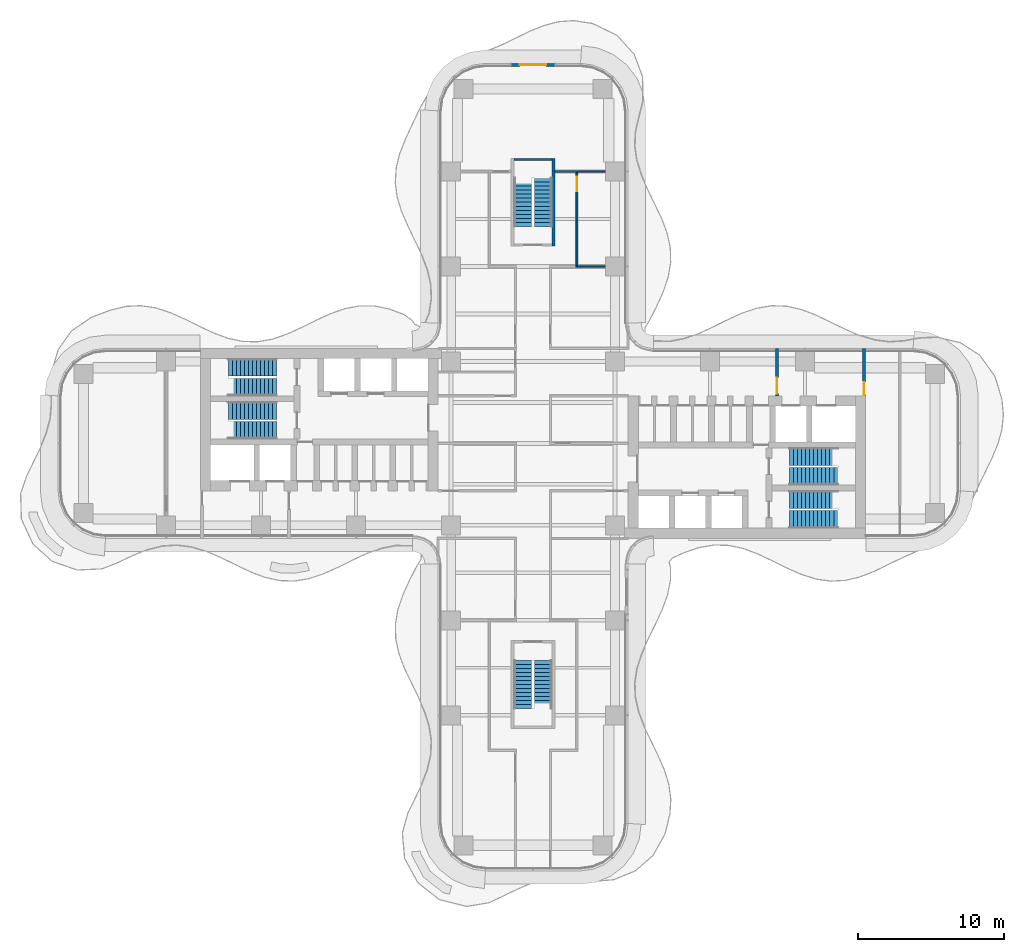
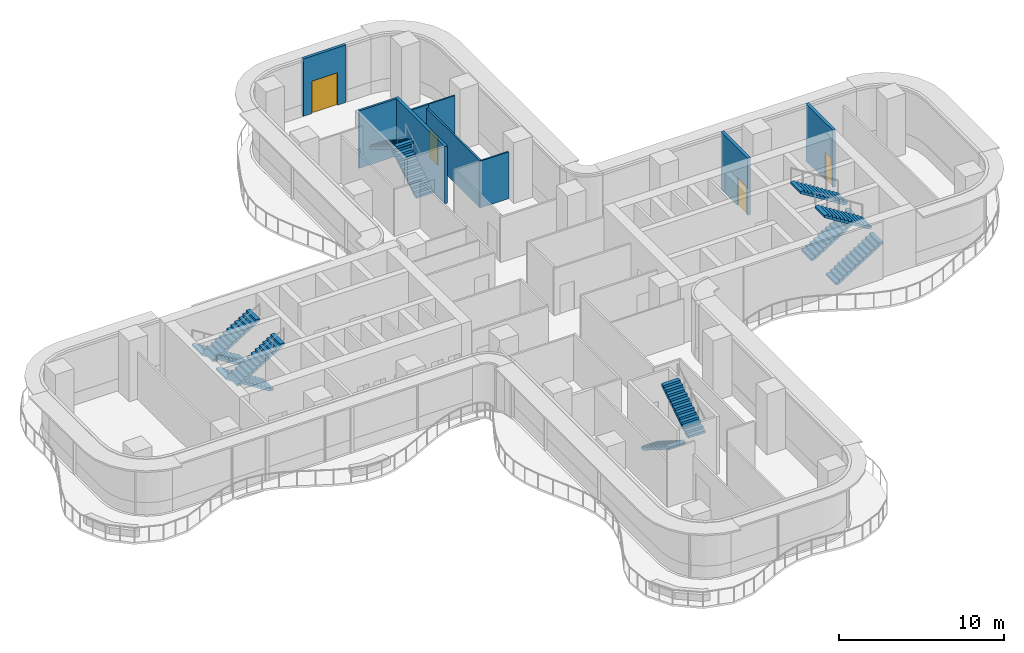
# One storey, part 21 of 23: 12 stair flights, 9 walls, 4 doors, 4 openings, 6 elements without a shape of their own.
"""IFC4 building model written with IfcOpenShell, lengths in metres."""

from ifc_helpers import new_model, si_unit, direction, frame, frame_2d, origin, place, context, subcontext, project, spatial, polyline, rectangle, outline, extrude, source, transform, mapped, material, layer, layer_set, type_object, element, fill, aggregate, save


model = new_model("IFC4")

# Units and contexts
model_context = context("Model", 3, precision=1e-05, world=origin(), true_north=direction((0.0, 1.0)))
body_context = subcontext(model_context, "Body", "Model", "MODEL_VIEW")
ifc_project = project(units=[si_unit("LENGTHUNIT", "METRE"), si_unit("AREAUNIT", "SQUARE_METRE"), si_unit("VOLUMEUNIT", "CUBIC_METRE"), si_unit("PLANEANGLEUNIT", "RADIAN"), si_unit("MASSUNIT", "GRAM", prefix="KILO")], contexts=[model_context])

# Site, building, storey
site_placement = place(None, origin())
site = spatial("IfcSite", under=ifc_project, at=site_placement, CompositionType="ELEMENT")
building_placement = place(site_placement, origin())
building = spatial("IfcBuilding", under=site, at=building_placement, Name="Trellis Farm Tower", CompositionType="ELEMENT")
storey_placement = place(building_placement, frame((0.0, 0.0, 111.0)))
storey = spatial("IfcBuildingStorey", under=building, at=storey_placement, Name="L23", CompositionType="ELEMENT", Elevation=111.0)

# Wall, opening, door
ifc_material_1 = material(Name="Masonry blockwork", Category="masonry")
ifc_layer_1 = layer(ifc_material_1, 0.199951171875)
ifc_layer_set_1 = layer_set([ifc_layer_1], Name="FIRE LOBBY PARTITION 200 BLOCKWORK")
wall_type_1 = type_object("IfcWallType", Name="FIRE LOBBY PARTITION 200 BLOCKWORK", PredefinedType="PARTITIONING", material=ifc_layer_set_1)
shared_shape_1 = source(origin(), body_context, "Body", "SweptSolid", [
    extrude(rectangle(XDim=3.25, YDim=0.199951171875, at=frame_2d((1.625, 0.0))), origin(), (0.0, 0.0, 1.0), 4.25),
])
wall_1_placement = place(storey_placement, frame((16.699951171875, 3.25, 0.0), z_axis=(0.0, 0.0, 1.0), x_axis=(0.0, 1.0, 0.0)))
wall_1 = element("IfcWall", 1, at=wall_1_placement, inside=storey, type_object=wall_type_1, Name="Fire-fighting lobby partition", PredefinedType="PARTITIONING", context=body_context, shape_type="MappedRepresentation", body=[
    mapped(shared_shape_1, transform((0.0, 0.0, 0.0))),
])
shared_shape_2 = source(origin(), body_context, "Body", "SweptSolid", [
    extrude(rectangle(XDim=1.10009765625, YDim=2.10009765625, at=frame_2d((0.550048828125, 1.050048828125))), frame((0.0, 0.110107421875, 0.0), z_axis=(0.0, -1.0, 0.0), x_axis=(1.0, 0.0, 0.0)), (0.0, 0.0, 1.0), 0.22021484375),
])
opening_1_placement = place(wall_1_placement, frame((0.14990234375, 0.0, 0.0)))
opening_1 = element("IfcOpeningElement", 2, at=opening_1_placement, cuts=wall_1, Name="Opening DC7", PredefinedType="OPENING", context=body_context, shape_type="MappedRepresentation", body=[
    mapped(shared_shape_2, transform((0.0, 0.0, 0.0))),
])
ifc_material_2 = material(Name="Steel", Category="steel")
door_type_1 = type_object("IfcDoorType", Name="CORE FIRE DOOR 1100 X 2100", OperationType="NOTDEFINED", PredefinedType="DOOR", material=ifc_material_2)
shared_shape_3 = source(origin(), body_context, "Body", "SweptSolid", [
    extrude(rectangle(XDim=1.10009765625, YDim=2.10009765625, at=frame_2d((0.550048828125, 1.050048828125))), frame((0.0, 0.02490234375, 0.0), z_axis=(0.0, -1.0, 0.0), x_axis=(1.0, 0.0, 0.0)), (0.0, 0.0, 1.0), 0.050048828125),
])
door_1_placement = place(opening_1_placement, origin())
door_1 = element("IfcDoor", 3, at=door_1_placement, inside=storey, type_object=door_type_1, Name="Core door", OperationType="SINGLE_SWING_RIGHT", OverallHeight=2.10009765625, OverallWidth=1.10009765625, PredefinedType="DOOR", context=body_context, shape_type="MappedRepresentation", body=[
    mapped(shared_shape_3, transform((0.0, 0.0, 0.0))),
])
fill(opening_1, door_1)

wall_2_placement = place(storey_placement, frame((22.64990234375, 3.25, 0.0), z_axis=(0.0, 0.0, 1.0), x_axis=(0.0, 1.0, 0.0)))
wall_2 = element("IfcWall", 4, at=wall_2_placement, inside=storey, type_object=wall_type_1, Name="Fire-fighting lobby partition", PredefinedType="PARTITIONING", context=body_context, shape_type="MappedRepresentation", body=[
    mapped(shared_shape_1, transform((0.0, 0.0, 0.0))),
])
shared_shape_4 = source(origin(), body_context, "Body", "SweptSolid", [
    extrude(rectangle(XDim=0.89990234375, YDim=2.10009765625, at=frame_2d((0.449951171875, 1.050048828125))), frame((0.0, 0.110107421875, 0.0), z_axis=(0.0, -1.0, 0.0), x_axis=(1.0, 0.0, 0.0)), (0.0, 0.0, 1.0), 0.22021484375),
])
opening_2_placement = place(wall_2_placement, frame((0.050048828125, 0.0, 0.0)))
opening_2 = element("IfcOpeningElement", 5, at=opening_2_placement, cuts=wall_2, Name="Opening DC8", PredefinedType="OPENING", context=body_context, shape_type="MappedRepresentation", body=[
    mapped(shared_shape_4, transform((0.0, 0.0, 0.0))),
])
door_type_2 = type_object("IfcDoorType", Name="CORE FIRE DOOR 900 X 2100", OperationType="NOTDEFINED", PredefinedType="DOOR", material=ifc_material_2)
shared_shape_5 = source(origin(), body_context, "Body", "SweptSolid", [
    extrude(rectangle(XDim=0.89990234375, YDim=2.10009765625, at=frame_2d((0.449951171875, 1.050048828125))), frame((0.0, 0.02490234375, 0.0), z_axis=(0.0, -1.0, 0.0), x_axis=(1.0, 0.0, 0.0)), (0.0, 0.0, 1.0), 0.050048828125),
])
door_2_placement = place(opening_2_placement, origin())
door_2 = element("IfcDoor", 6, at=door_2_placement, inside=storey, type_object=door_type_2, Name="Core door", OperationType="SINGLE_SWING_RIGHT", OverallHeight=2.10009765625, OverallWidth=0.89990234375, PredefinedType="DOOR", context=body_context, shape_type="MappedRepresentation", body=[
    mapped(shared_shape_5, transform((0.0, 0.0, 0.0))),
])
fill(opening_2, door_2)

# Walls
ifc_material_3 = material(Name="Concrete C70/85", Category="concrete")
ifc_layer_2 = layer(ifc_material_3, 0.199951171875)
ifc_layer_set_2 = layer_set([ifc_layer_2], Name="CORE STAIR ENCLOSURE WALL 200 CONCRETE C70/85")
wall_type_2 = type_object("IfcWallType", Name="CORE STAIR ENCLOSURE WALL 200 CONCRETE C70/85", PredefinedType="SHEAR", material=ifc_layer_set_2)
shared_shape_6 = source(origin(), body_context, "Body", "SweptSolid", [
    extrude(rectangle(XDim=6.0, YDim=0.199951171875, at=frame_2d((3.0, 0.0))), origin(), (0.0, 0.0, 1.0), 4.25),
])
wall_3_placement = place(storey_placement, frame((1.39990234375, 13.5, 0.0), z_axis=(0.0, 0.0, 1.0), x_axis=(0.0, 1.0, 0.0)))
element("IfcWall", 7, at=wall_3_placement, inside=storey, type_object=wall_type_2, Name="Stair enclosure wall", PredefinedType="SHEAR", context=body_context, shape_type="MappedRepresentation", body=[
    mapped(shared_shape_6, transform((0.0, 0.0, 0.0))),
])
ifc_layer_3 = layer(ifc_material_3, 0.14990234375)
ifc_layer_set_3 = layer_set([ifc_layer_3], Name="CORE STAIR ENCLOSURE WALL 150 CONCRETE C70/85")
wall_type_3 = type_object("IfcWallType", Name="CORE STAIR ENCLOSURE WALL 150 CONCRETE C70/85", PredefinedType="SHEAR", material=ifc_layer_set_3)
shared_shape_7 = source(origin(), body_context, "Body", "SweptSolid", [
    extrude(rectangle(XDim=2.60009765625, YDim=0.14990234375, at=frame_2d((1.300048828125, 0.0))), origin(), (0.0, 0.0, 1.0), 4.25),
])
wall_4_placement = place(storey_placement, frame((-1.300048828125, 19.425048828125, 0.0), z_axis=(0.0, 0.0, 1.0), x_axis=(1.0, 0.0, 0.0)))
element("IfcWall", 8, at=wall_4_placement, inside=storey, type_object=wall_type_3, Name="Stair enclosure wall", PredefinedType="SHEAR", context=body_context, shape_type="MappedRepresentation", body=[
    mapped(shared_shape_7, transform((0.0, 0.0, 0.0))),
])

# Wall, opening, door
ifc_material_4 = material(Name="Sandstone faced insulated wall", Category="masonry")
ifc_layer_4 = layer(ifc_material_4, 0.199951171875)
ifc_layer_set_4 = layer_set([ifc_layer_4], Name="EXTERNAL INFILL WALL 200")
wall_type_4 = type_object("IfcWallType", Name="EXTERNAL INFILL WALL 200", PredefinedType="SOLIDWALL", material=ifc_layer_set_4)
shared_shape_8 = source(origin(), body_context, "Body", "SweptSolid", [
    extrude(rectangle(XDim=3.0, YDim=0.199951171875, at=frame_2d((1.5, 0.0))), origin(), (0.0, 0.0, 1.0), 4.25),
])
wall_5_placement = place(storey_placement, frame((1.5, 25.89990234375, 0.0), z_axis=(0.0, 0.0, 1.0), x_axis=(-1.0, 0.0, 0.0)))
wall_5 = element("IfcWall", 9, at=wall_5_placement, inside=storey, type_object=wall_type_4, Name="EW1 02", PredefinedType="SOLIDWALL", context=body_context, shape_type="MappedRepresentation", body=[
    mapped(shared_shape_8, transform((0.0, 0.0, 0.0))),
])
shared_shape_9 = source(origin(), body_context, "Body", "SweptSolid", [
    extrude(rectangle(XDim=1.800048828125, YDim=2.39990234375, at=frame_2d((0.89990234375, 1.199951171875))), frame((0.0, 0.110107421875, 0.0), z_axis=(0.0, -1.0, 0.0), x_axis=(1.0, 0.0, 0.0)), (0.0, 0.0, 1.0), 0.22021484375),
])
opening_3_placement = place(wall_5_placement, frame((0.60009765625, 0.0, 0.0)))
opening_3 = element("IfcOpeningElement", 10, at=opening_3_placement, cuts=wall_5, Name="Opening ED1", PredefinedType="OPENING", context=body_context, shape_type="MappedRepresentation", body=[
    mapped(shared_shape_9, transform((0.0, 0.0, 0.0))),
])
ifc_material_5 = material(Name="Aluminium framed glazed door", Category="aluminium")
door_type_3 = type_object("IfcDoorType", Name="BALCONY DOOR 1800x2400", OperationType="DOUBLE_DOOR_SINGLE_SWING", PredefinedType="DOOR", material=ifc_material_5)
shared_shape_10 = source(origin(), body_context, "Body", "SweptSolid", [
    extrude(rectangle(XDim=1.800048828125, YDim=2.39990234375, at=frame_2d((0.89990234375, 1.199951171875))), frame((0.0, 0.02490234375, 0.0), z_axis=(0.0, -1.0, 0.0), x_axis=(1.0, 0.0, 0.0)), (0.0, 0.0, 1.0), 0.050048828125),
])
door_3_placement = place(opening_3_placement, origin())
door_3 = element("IfcDoor", 11, at=door_3_placement, inside=storey, type_object=door_type_3, Name="Balcony door", OperationType="DOUBLE_DOOR_SINGLE_SWING", OverallHeight=2.39990234375, OverallWidth=1.800048828125, PredefinedType="DOOR", context=body_context, shape_type="MappedRepresentation", body=[
    mapped(shared_shape_10, transform((0.0, 0.0, 0.0))),
])
fill(opening_3, door_3)

ifc_material_6 = material(Name="Plasterboard on steel studs, mineral wool", Category="steel")
ifc_layer_5 = layer(ifc_material_6, 0.125)
ifc_layer_set_5 = layer_set([ifc_layer_5], Name="PARTITION 125 STUD EI 60")
wall_type_5 = type_object("IfcWallType", Name="PARTITION 125 STUD EI 60", PredefinedType="PARTITIONING", material=ifc_layer_set_5)
shared_shape_11 = source(origin(), body_context, "Body", "SweptSolid", [
    extrude(rectangle(XDim=6.400146484375, YDim=0.125, at=frame_2d((3.2001953125, 0.0))), origin(), (0.0, 0.0, 1.0), 3.4677734375),
])
wall_6_placement = place(storey_placement, frame((3.0, 18.550048828125, 0.0), z_axis=(0.0, 0.0, 1.0), x_axis=(0.0, -1.0, 0.0)))
wall_6 = element("IfcWall", 12, at=wall_6_placement, inside=storey, type_object=wall_type_5, Name="Partition PW1", PredefinedType="PARTITIONING", context=body_context, shape_type="MappedRepresentation", body=[
    mapped(shared_shape_11, transform((0.0, 0.0, 0.0))),
])
shared_shape_12 = source(origin(), body_context, "Body", "SweptSolid", [
    extrude(rectangle(XDim=1.0, YDim=2.10009765625, at=frame_2d((0.5, 1.050048828125))), frame((0.0, 0.072509765625, 0.0), z_axis=(0.0, -1.0, 0.0), x_axis=(1.0, 0.0, 0.0)), (0.0, 0.0, 1.0), 0.14501953125),
])
opening_4_placement = place(wall_6_placement, frame((0.300048828125, 0.0, 0.0)))
opening_4 = element("IfcOpeningElement", 13, at=opening_4_placement, cuts=wall_6, Name="Opening D107", PredefinedType="OPENING", context=body_context, shape_type="MappedRepresentation", body=[
    mapped(shared_shape_12, transform((0.0, 0.0, 0.0))),
])
ifc_material_7 = material(Name="Fire-rated timber door leaf in a hollow metal frame", Category="wood")
door_type_4 = type_object("IfcDoorType", Name="DOOR 1000x2100 FD30S", OperationType="NOTDEFINED", PredefinedType="DOOR", material=ifc_material_7)
shared_shape_13 = source(origin(), body_context, "Body", "SweptSolid", [
    extrude(rectangle(XDim=1.0, YDim=2.10009765625, at=frame_2d((0.5, 1.050048828125))), frame((0.0, 0.02490234375, 0.0), z_axis=(0.0, -1.0, 0.0), x_axis=(1.0, 0.0, 0.0)), (0.0, 0.0, 1.0), 0.050048828125),
])
door_4_placement = place(opening_4_placement, origin())
door_4 = element("IfcDoor", 14, at=door_4_placement, inside=storey, type_object=door_type_4, Name="Door D107", OperationType="SINGLE_SWING_LEFT", OverallHeight=2.10009765625, OverallWidth=1.0, PredefinedType="DOOR", context=body_context, shape_type="MappedRepresentation", body=[
    mapped(shared_shape_13, transform((0.0, 0.0, 0.0))),
])
fill(opening_4, door_4)

# Walls
shared_shape_14 = source(origin(), body_context, "Body", "SweptSolid", [
    extrude(rectangle(XDim=1.5625, YDim=0.125, at=frame_2d((0.78125, 0.0))), origin(), (0.0, 0.0, 1.0), 3.697021484375),
])
wall_7_placement = place(storey_placement, frame((1.5, 18.60009765625, 0.0), z_axis=(0.0, 0.0, 1.0), x_axis=(1.0, 0.0, 0.0)))
element("IfcWall", 15, at=wall_7_placement, inside=storey, type_object=wall_type_5, Name="Partition PW1", PredefinedType="PARTITIONING", context=body_context, shape_type="MappedRepresentation", body=[
    mapped(shared_shape_14, transform((0.0, 0.0, 0.0))),
])
ifc_material_8 = material(Name="Plasterboard on steel studs", Category="steel")
ifc_layer_6 = layer(ifc_material_8, 0.10009765625)
ifc_layer_set_6 = layer_set([ifc_layer_6], Name="PARTITION 100 STUD EI 30")
wall_type_6 = type_object("IfcWallType", Name="PARTITION 100 STUD EI 30", PredefinedType="PARTITIONING", material=ifc_layer_set_6)
shared_shape_15 = source(origin(), body_context, "Body", "SweptSolid", [
    extrude(rectangle(XDim=2.012451171875, YDim=0.10009765625, at=frame_2d((1.00634765625, 0.0))), origin(), (0.0, 0.0, 1.0), 3.697021484375),
])
wall_8_placement = place(storey_placement, frame((2.9375, 18.60009765625, 0.0), z_axis=(0.0, 0.0, 1.0), x_axis=(1.0, 0.0, 0.0)))
element("IfcWall", 16, at=wall_8_placement, inside=storey, type_object=wall_type_6, Name="Partition PW2", PredefinedType="PARTITIONING", context=body_context, shape_type="MappedRepresentation", body=[
    mapped(shared_shape_15, transform((0.0, 0.0, 0.0))),
])
shared_shape_16 = source(origin(), body_context, "Body", "SweptSolid", [
    extrude(rectangle(XDim=2.012451171875, YDim=0.10009765625, at=frame_2d((1.00634765625, 0.0))), origin(), (0.0, 0.0, 1.0), 3.4677734375),
])
wall_9_placement = place(storey_placement, frame((2.9375, 12.10009765625, 0.0), z_axis=(0.0, 0.0, 1.0), x_axis=(1.0, 0.0, 0.0)))
element("IfcWall", 17, at=wall_9_placement, inside=storey, type_object=wall_type_6, Name="Partition PW2", PredefinedType="PARTITIONING", context=body_context, shape_type="MappedRepresentation", body=[
    mapped(shared_shape_16, transform((0.0, 0.0, 0.0))),
])

# Stair, stair flights
ifc_material_9 = material(Name="Concrete C50/60", Category="concrete")
stair_type = type_object("IfcStairType", Name="CORE EXIT STAIR 26 RISERS 173 MM", PredefinedType="HALF_TURN_STAIR", material=ifc_material_9)
placement = place(storey_placement, origin())
stair_1 = element("IfcStair", 18, at=placement, inside=storey, type_object=stair_type, Name="Exit stair N", PredefinedType="HALF_TURN_STAIR")
stair_flight_type = type_object("IfcStairFlightType", Name="STAIR FLIGHT 13 RISERS 173 MM", PredefinedType="STRAIGHT", material=ifc_material_9)
shared_shape_17 = source(origin(), body_context, "Body", "SweptSolid", [
    extrude(outline(polyline([(0.0, 0.0), (0.0, 0.173095703125), (0.27490234375, 0.173095703125), (0.27490234375, 0.34619140625), (0.550048828125, 0.34619140625), (0.550048828125, 0.519287109375), (0.824951171875, 0.519287109375), (0.824951171875, 0.6923828125), (1.10009765625, 0.6923828125), (1.10009765625, 0.865478515625), (1.375, 0.865478515625), (1.375, 1.03857421875), (1.64990234375, 1.03857421875), (1.64990234375, 1.21142578125), (1.925048828125, 1.21142578125), (1.925048828125, 1.384521484375), (2.199951171875, 1.384521484375), (2.199951171875, 1.5576171875), (2.47509765625, 1.5576171875), (2.47509765625, 1.730712890625), (2.75, 1.730712890625), (2.75, 1.90380859375), (3.02490234375, 1.90380859375), (3.02490234375, 2.076904296875), (3.300048828125, 2.076904296875), (3.300048828125, 2.25), (3.300048828125, 1.92333984375), (0.243896484375, 0.0), (0.0, 0.0)])), frame((0.0, 0.60009765625, 0.0), z_axis=(0.0, -1.0, 0.0), x_axis=(1.0, 0.0, 0.0)), (0.0, 0.0, 1.0), 1.199951171875),
])
stair_flight_1_placement = place(storey_placement, frame((0.699951171875, 14.85009765625, 0.0), z_axis=(0.0, 0.0, 1.0), x_axis=(0.0, 1.0, 0.0)))
stair_flight_1 = element("IfcStairFlight", 19, at=stair_flight_1_placement, type_object=stair_flight_type, Name="STN flight 1", NumberOfRisers=13, NumberOfTreads=12, PredefinedType="STRAIGHT", RiserHeight=0.173076923, TreadLength=0.275, context=body_context, shape_type="MappedRepresentation", body=[
    mapped(shared_shape_17, transform((0.0, 0.0, 0.0))),
])
stair_flight_2_placement = place(storey_placement, frame((-0.699951171875, 18.14990234375, 2.25), z_axis=(0.0, 0.0, 1.0), x_axis=(0.0, -1.0, 0.0)))
stair_flight_2 = element("IfcStairFlight", 20, at=stair_flight_2_placement, type_object=stair_flight_type, Name="STN flight 2", NumberOfRisers=13, NumberOfTreads=12, PredefinedType="STRAIGHT", RiserHeight=0.173076923, TreadLength=0.275, context=body_context, shape_type="MappedRepresentation", body=[
    mapped(shared_shape_17, transform((0.0, 0.0, 0.0))),
])
aggregate(stair_1, [stair_flight_1, stair_flight_2])

stair_2 = element("IfcStair", 21, at=placement, inside=storey, type_object=stair_type, Name="Exit stair S", PredefinedType="HALF_TURN_STAIR")
stair_flight_3_placement = place(storey_placement, frame((-0.699951171875, -14.85009765625, 0.0), z_axis=(0.0, 0.0, 1.0), x_axis=(0.0, -1.0, 0.0)))
stair_flight_3 = element("IfcStairFlight", 22, at=stair_flight_3_placement, type_object=stair_flight_type, Name="STS flight 1", NumberOfRisers=13, NumberOfTreads=12, PredefinedType="STRAIGHT", RiserHeight=0.173076923, TreadLength=0.275, context=body_context, shape_type="MappedRepresentation", body=[
    mapped(shared_shape_17, transform((0.0, 0.0, 0.0))),
])
stair_flight_4_placement = place(storey_placement, frame((0.699951171875, -18.14990234375, 2.25), z_axis=(0.0, 0.0, 1.0), x_axis=(0.0, 1.0, 0.0)))
stair_flight_4 = element("IfcStairFlight", 23, at=stair_flight_4_placement, type_object=stair_flight_type, Name="STS flight 2", NumberOfRisers=13, NumberOfTreads=12, PredefinedType="STRAIGHT", RiserHeight=0.173076923, TreadLength=0.275, context=body_context, shape_type="MappedRepresentation", body=[
    mapped(shared_shape_17, transform((0.0, 0.0, 0.0))),
])
aggregate(stair_2, [stair_flight_3, stair_flight_4])

stair_3 = element("IfcStair", 24, at=placement, inside=storey, type_object=stair_type, Name="Exit stair E1", PredefinedType="HALF_TURN_STAIR")
stair_flight_5_placement = place(storey_placement, frame((17.550048828125, -5.199951171875, 0.0), z_axis=(0.0, 0.0, 1.0), x_axis=(1.0, 0.0, 0.0)))
stair_flight_5 = element("IfcStairFlight", 25, at=stair_flight_5_placement, type_object=stair_flight_type, Name="STE1 flight 1", NumberOfRisers=13, NumberOfTreads=12, PredefinedType="STRAIGHT", RiserHeight=0.173076923, TreadLength=0.275, context=body_context, shape_type="MappedRepresentation", body=[
    mapped(shared_shape_17, transform((0.0, 0.0, 0.0))),
])
stair_flight_6_placement = place(storey_placement, frame((20.85009765625, -3.85009765625, 2.25), z_axis=(0.0, 0.0, 1.0), x_axis=(-1.0, 0.0, 0.0)))
stair_flight_6 = element("IfcStairFlight", 26, at=stair_flight_6_placement, type_object=stair_flight_type, Name="STE1 flight 2", NumberOfRisers=13, NumberOfTreads=12, PredefinedType="STRAIGHT", RiserHeight=0.173076923, TreadLength=0.275, context=body_context, shape_type="MappedRepresentation", body=[
    mapped(shared_shape_17, transform((0.0, 0.0, 0.0))),
])
aggregate(stair_3, [stair_flight_5, stair_flight_6])

stair_4 = element("IfcStair", 27, at=placement, inside=storey, type_object=stair_type, Name="Exit stair E2", PredefinedType="HALF_TURN_STAIR")
stair_flight_7_placement = place(storey_placement, frame((17.550048828125, -2.25, 0.0), z_axis=(0.0, 0.0, 1.0), x_axis=(1.0, 0.0, 0.0)))
stair_flight_7 = element("IfcStairFlight", 28, at=stair_flight_7_placement, type_object=stair_flight_type, Name="STE2 flight 1", NumberOfRisers=13, NumberOfTreads=12, PredefinedType="STRAIGHT", RiserHeight=0.173076923, TreadLength=0.275, context=body_context, shape_type="MappedRepresentation", body=[
    mapped(shared_shape_17, transform((0.0, 0.0, 0.0))),
])
stair_flight_8_placement = place(storey_placement, frame((20.85009765625, -0.89990234375, 2.25), z_axis=(0.0, 0.0, 1.0), x_axis=(-1.0, 0.0, 0.0)))
stair_flight_8 = element("IfcStairFlight", 29, at=stair_flight_8_placement, type_object=stair_flight_type, Name="STE2 flight 2", NumberOfRisers=13, NumberOfTreads=12, PredefinedType="STRAIGHT", RiserHeight=0.173076923, TreadLength=0.275, context=body_context, shape_type="MappedRepresentation", body=[
    mapped(shared_shape_17, transform((0.0, 0.0, 0.0))),
])
aggregate(stair_4, [stair_flight_7, stair_flight_8])

stair_5 = element("IfcStair", 30, at=placement, inside=storey, type_object=stair_type, Name="Exit stair W1", PredefinedType="HALF_TURN_STAIR")
stair_flight_9_placement = place(storey_placement, frame((-17.550048828125, 5.199951171875, 0.0), z_axis=(0.0, 0.0, 1.0), x_axis=(-1.0, 0.0, 0.0)))
stair_flight_9 = element("IfcStairFlight", 31, at=stair_flight_9_placement, type_object=stair_flight_type, Name="STW1 flight 1", NumberOfRisers=13, NumberOfTreads=12, PredefinedType="STRAIGHT", RiserHeight=0.173076923, TreadLength=0.275, context=body_context, shape_type="MappedRepresentation", body=[
    mapped(shared_shape_17, transform((0.0, 0.0, 0.0))),
])
stair_flight_10_placement = place(storey_placement, frame((-20.85009765625, 3.85009765625, 2.25), z_axis=(0.0, 0.0, 1.0), x_axis=(1.0, 0.0, 0.0)))
stair_flight_10 = element("IfcStairFlight", 32, at=stair_flight_10_placement, type_object=stair_flight_type, Name="STW1 flight 2", NumberOfRisers=13, NumberOfTreads=12, PredefinedType="STRAIGHT", RiserHeight=0.173076923, TreadLength=0.275, context=body_context, shape_type="MappedRepresentation", body=[
    mapped(shared_shape_17, transform((0.0, 0.0, 0.0))),
])
aggregate(stair_5, [stair_flight_9, stair_flight_10])

stair_6 = element("IfcStair", 33, at=placement, inside=storey, type_object=stair_type, Name="Exit stair W2", PredefinedType="HALF_TURN_STAIR")
stair_flight_11_placement = place(storey_placement, frame((-17.550048828125, 2.25, 0.0), z_axis=(0.0, 0.0, 1.0), x_axis=(-1.0, 0.0, 0.0)))
stair_flight_11 = element("IfcStairFlight", 34, at=stair_flight_11_placement, type_object=stair_flight_type, Name="STW2 flight 1", NumberOfRisers=13, NumberOfTreads=12, PredefinedType="STRAIGHT", RiserHeight=0.173076923, TreadLength=0.275, context=body_context, shape_type="MappedRepresentation", body=[
    mapped(shared_shape_17, transform((0.0, 0.0, 0.0))),
])
stair_flight_12_placement = place(storey_placement, frame((-20.85009765625, 0.89990234375, 2.25), z_axis=(0.0, 0.0, 1.0), x_axis=(1.0, 0.0, 0.0)))
stair_flight_12 = element("IfcStairFlight", 35, at=stair_flight_12_placement, type_object=stair_flight_type, Name="STW2 flight 2", NumberOfRisers=13, NumberOfTreads=12, PredefinedType="STRAIGHT", RiserHeight=0.173076923, TreadLength=0.275, context=body_context, shape_type="MappedRepresentation", body=[
    mapped(shared_shape_17, transform((0.0, 0.0, 0.0))),
])
aggregate(stair_6, [stair_flight_11, stair_flight_12])

save(model, "model.ifc")
